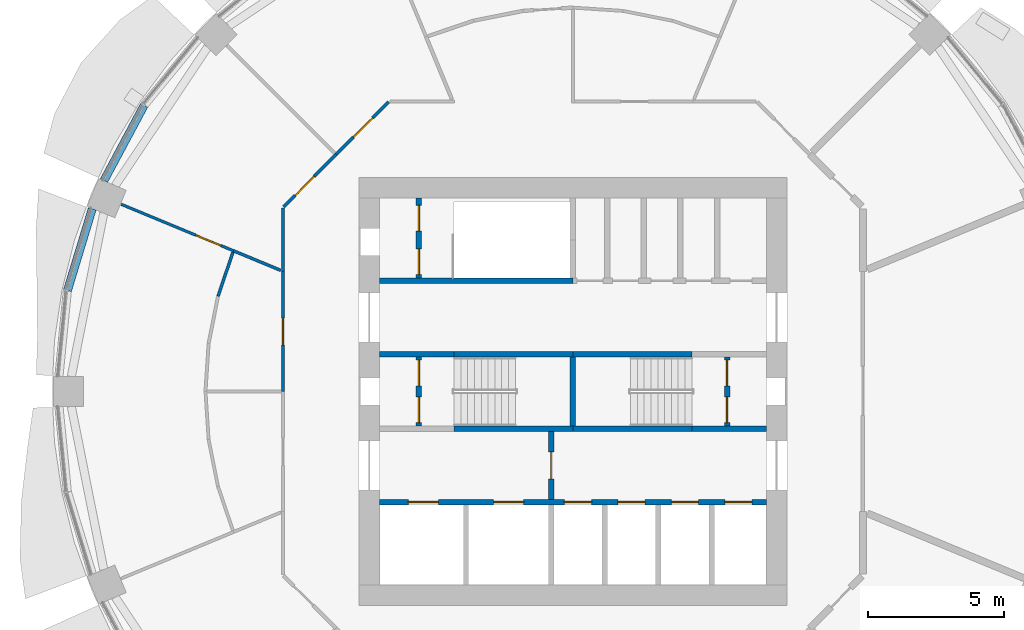
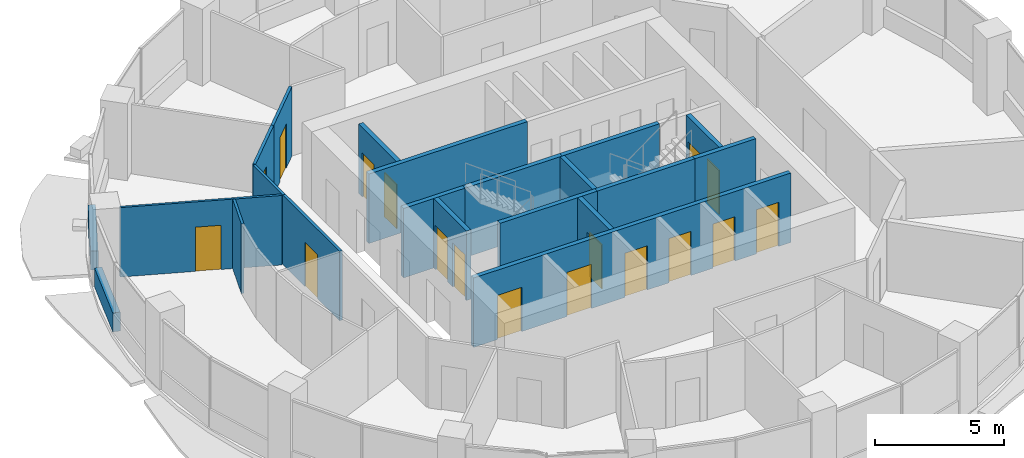
# One storey, part 8 of 14: 22 walls, 17 doors, 17 openings.
"""IFC4 building model written with IfcOpenShell, lengths in metres."""

from ifc_helpers import new_model, si_unit, direction, frame, frame_2d, origin, place, context, subcontext, project, spatial, rectangle, extrude, material, layer, layer_set, type_object, element, fill, save


model = new_model("IFC4")

# Units and contexts
model_context = context("Model", 3, precision=1e-05, world=origin(), true_north=direction((0.0, 1.0)))
body_context = subcontext(model_context, "Body", "Model", "MODEL_VIEW")
ifc_project = project(units=[si_unit("LENGTHUNIT", "METRE"), si_unit("AREAUNIT", "SQUARE_METRE"), si_unit("VOLUMEUNIT", "CUBIC_METRE"), si_unit("PLANEANGLEUNIT", "RADIAN"), si_unit("MASSUNIT", "GRAM", prefix="KILO")], contexts=[model_context])

# Site, building, storey
site_placement = place(None, origin())
site = spatial("IfcSite", under=ifc_project, at=site_placement, CompositionType="ELEMENT")
building_placement = place(site_placement, origin())
building = spatial("IfcBuilding", under=site, at=building_placement, Name="Polderwave Tower", CompositionType="ELEMENT")
storey_placement = place(building_placement, frame((0.0, 0.0, 112.89990234375)))
storey = spatial("IfcBuildingStorey", under=building, at=storey_placement, Name="L29", CompositionType="ELEMENT", Elevation=112.89990234375)

# Walls
ifc_material_1 = material(Name="Concrete C50/60 (board-marked)", Category="concrete")
ifc_layer_1 = layer(ifc_material_1, 0.300048828125)
ifc_layer_set_1 = layer_set([ifc_layer_1], Name="Concrete spandrel upstand C50/60")
wall_type_1 = type_object("IfcWallType", Name="Concrete spandrel upstand C50/60", PredefinedType="SOLIDWALL", material=ifc_layer_set_1)
wall_1_placement = place(storey_placement, frame((-15.7880859375, 10.53173828125, 0.0), z_axis=(0.0, 0.0, 1.0), x_axis=(-0.471375185282, -0.88193278355, 0.0)))
element("IfcWall", 1, at=wall_1_placement, inside=storey, type_object=wall_type_1, Name="Spandrel L29 7b", PredefinedType="SOLIDWALL", context=body_context, shape_type="SweptSolid", body=[
    extrude(rectangle(XDim=3.13916015625, YDim=0.300048828125, at=frame_2d((1.569580078125, 0.0))), origin(), (0.0, 0.0, 1.0), 0.900146484375),
])
wall_2_placement = place(storey_placement, frame((-17.699462890625, 6.7216796875, 0.0), z_axis=(0.0, 0.0, 1.0), x_axis=(-0.290214584271, -0.956961595403, 0.0)))
element("IfcWall", 2, at=wall_2_placement, inside=storey, type_object=wall_type_1, Name="Spandrel L29 8a", PredefinedType="SOLIDWALL", context=body_context, shape_type="SweptSolid", body=[
    extrude(rectangle(XDim=3.139404296875, YDim=0.300048828125, at=frame_2d((1.56982421875, 0.0))), origin(), (0.0, 0.0, 1.0), 0.900146484375),
])

# Wall, opening, door
ifc_material_2 = material(Name="Gypsum board partition")
ifc_layer_2 = layer(ifc_material_2, 0.199951171875)
ifc_layer_set_2 = layer_set([ifc_layer_2], Name="Core room partition 200")
wall_type_2 = type_object("IfcWallType", Name="Core room partition 200", PredefinedType="PARTITIONING", material=ifc_layer_set_2)
wall_3_placement = place(storey_placement, frame((-0.800048828125, -3.97412109375, 0.0), z_axis=(0.0, 0.0, 1.0), x_axis=(0.0, 1.0, 0.0)))
wall_3 = element("IfcWall", 3, at=wall_3_placement, inside=storey, type_object=wall_type_2, Name="L29 fire-fighting lobby wall", PredefinedType="PARTITIONING", context=body_context, shape_type="SweptSolid", body=[
    extrude(rectangle(XDim=2.4990234375, YDim=0.199951171875, at=frame_2d((1.24951171875, 0.0))), origin(), (0.0, 0.0, 1.0), 3.300048828125),
])
opening_1_placement = place(wall_3_placement, frame((0.74951171875, 0.0, 0.0)))
opening_1 = element("IfcOpeningElement", 4, at=opening_1_placement, cuts=wall_3, Name="Opening L29-D13", PredefinedType="OPENING", context=body_context, shape_type="SweptSolid", body=[
    extrude(rectangle(XDim=1.0, YDim=2.10009765625, at=frame_2d((0.5, 1.050048828125))), frame((0.0, 0.10986328125, 0.0), z_axis=(0.0, -1.0, 0.0), x_axis=(1.0, 0.0, 0.0)), (0.0, 0.0, 1.0), 0.219970703125),
])
ifc_material_3 = material(Name="Steel fire door", Category="steel")
door_type_1 = type_object("IfcDoorType", Name="Lobby fire door 1000", OperationType="NOTDEFINED", PredefinedType="DOOR", material=ifc_material_3)
door_1_placement = place(opening_1_placement, frame((1.0, 0.0, 0.0), z_axis=(0.0, 0.0, 1.0), x_axis=(-1.0, 0.0, 0.0)))
door_1 = element("IfcDoor", 5, at=door_1_placement, inside=storey, type_object=door_type_1, Name="Fire-fighting lobby door", OperationType="SINGLE_SWING_LEFT", OverallHeight=2.10009765625, OverallWidth=1.0, PredefinedType="DOOR", context=body_context, shape_type="SweptSolid", body=[
    extrude(rectangle(XDim=1.0, YDim=2.10009765625, at=frame_2d((0.5, 1.050048828125))), frame((0.0, 0.02490234375, 0.0), z_axis=(0.0, -1.0, 0.0), x_axis=(1.0, 0.0, 0.0)), (0.0, 0.0, 1.0), 0.050048828125),
])
fill(opening_1, door_1)

# Wall, openings, doors
wall_4_placement = place(storey_placement, frame((-5.674072265625, -1.27490234375, 0.0), z_axis=(0.0, 0.0, 1.0), x_axis=(0.0, 1.0, 0.0)))
wall_4 = element("IfcWall", 6, at=wall_4_placement, inside=storey, type_object=wall_type_2, Name="L29 smoke lobby wall A", PredefinedType="PARTITIONING", context=body_context, shape_type="SweptSolid", body=[
    extrude(rectangle(XDim=2.5498046875, YDim=0.199951171875, at=frame_2d((1.27490234375, 0.0))), origin(), (0.0, 0.0, 1.0), 3.300048828125),
])
opening_2_placement = place(wall_4_placement, frame((0.125, 0.0, 0.0)))
opening_2 = element("IfcOpeningElement", 7, at=opening_2_placement, cuts=wall_4, Name="Opening L29-D07", PredefinedType="OPENING", context=body_context, shape_type="SweptSolid", body=[
    extrude(rectangle(XDim=0.949951171875, YDim=2.10009765625, at=frame_2d((0.47509765625, 1.050048828125))), frame((0.0, 0.10986328125, 0.0), z_axis=(0.0, -1.0, 0.0), x_axis=(1.0, 0.0, 0.0)), (0.0, 0.0, 1.0), 0.219970703125),
])
opening_3_placement = place(wall_4_placement, frame((1.47509765625, 0.0, 0.0)))
opening_3 = element("IfcOpeningElement", 8, at=opening_3_placement, cuts=wall_4, Name="Opening L29-D08", PredefinedType="OPENING", context=body_context, shape_type="SweptSolid", body=[
    extrude(rectangle(XDim=0.949951171875, YDim=2.10009765625, at=frame_2d((0.47509765625, 1.050048828125))), frame((0.0, 0.10986328125, 0.0), z_axis=(0.0, -1.0, 0.0), x_axis=(1.0, 0.0, 0.0)), (0.0, 0.0, 1.0), 0.219970703125),
])
door_type_2 = type_object("IfcDoorType", Name="Smoke lobby door 950", OperationType="NOTDEFINED", PredefinedType="DOOR", material=ifc_material_3)
door_2_placement = place(opening_2_placement, origin())
door_2 = element("IfcDoor", 9, at=door_2_placement, inside=storey, type_object=door_type_2, Name="Stair A smoke lobby inner door", OperationType="SINGLE_SWING_LEFT", OverallHeight=2.10009765625, OverallWidth=0.949951171875, PredefinedType="DOOR", context=body_context, shape_type="SweptSolid", body=[
    extrude(rectangle(XDim=0.949951171875, YDim=2.10009765625, at=frame_2d((0.47509765625, 1.050048828125))), frame((0.0, 0.02490234375, 0.0), z_axis=(0.0, -1.0, 0.0), x_axis=(1.0, 0.0, 0.0)), (0.0, 0.0, 1.0), 0.050048828125),
])
fill(opening_2, door_2)
door_3_placement = place(opening_3_placement, origin())
door_3 = element("IfcDoor", 10, at=door_3_placement, inside=storey, type_object=door_type_2, Name="Stair A smoke lobby inner door", OperationType="SINGLE_SWING_RIGHT", OverallHeight=2.10009765625, OverallWidth=0.949951171875, PredefinedType="DOOR", context=body_context, shape_type="SweptSolid", body=[
    extrude(rectangle(XDim=0.949951171875, YDim=2.10009765625, at=frame_2d((0.47509765625, 1.050048828125))), frame((0.0, 0.02490234375, 0.0), z_axis=(0.0, -1.0, 0.0), x_axis=(1.0, 0.0, 0.0)), (0.0, 0.0, 1.0), 0.050048828125),
])
fill(opening_3, door_3)

wall_5_placement = place(storey_placement, frame((5.674072265625, -1.27490234375, 0.0), z_axis=(0.0, 0.0, 1.0), x_axis=(0.0, 1.0, 0.0)))
wall_5 = element("IfcWall", 11, at=wall_5_placement, inside=storey, type_object=wall_type_2, Name="L29 smoke lobby wall B", PredefinedType="PARTITIONING", context=body_context, shape_type="SweptSolid", body=[
    extrude(rectangle(XDim=2.5498046875, YDim=0.199951171875, at=frame_2d((1.27490234375, 0.0))), origin(), (0.0, 0.0, 1.0), 3.300048828125),
])
opening_4_placement = place(wall_5_placement, frame((0.125, 0.0, 0.0)))
opening_4 = element("IfcOpeningElement", 12, at=opening_4_placement, cuts=wall_5, Name="Opening L29-D09", PredefinedType="OPENING", context=body_context, shape_type="SweptSolid", body=[
    extrude(rectangle(XDim=0.949951171875, YDim=2.10009765625, at=frame_2d((0.47509765625, 1.050048828125))), frame((0.0, 0.10986328125, 0.0), z_axis=(0.0, -1.0, 0.0), x_axis=(1.0, 0.0, 0.0)), (0.0, 0.0, 1.0), 0.219970703125),
])
opening_5_placement = place(wall_5_placement, frame((1.47509765625, 0.0, 0.0)))
opening_5 = element("IfcOpeningElement", 13, at=opening_5_placement, cuts=wall_5, Name="Opening L29-D10", PredefinedType="OPENING", context=body_context, shape_type="SweptSolid", body=[
    extrude(rectangle(XDim=0.949951171875, YDim=2.10009765625, at=frame_2d((0.47509765625, 1.050048828125))), frame((0.0, 0.10986328125, 0.0), z_axis=(0.0, -1.0, 0.0), x_axis=(1.0, 0.0, 0.0)), (0.0, 0.0, 1.0), 0.219970703125),
])
door_4_placement = place(opening_4_placement, frame((0.949951171875, 0.0, 0.0), z_axis=(0.0, 0.0, 1.0), x_axis=(-1.0, 0.0, 0.0)))
door_4 = element("IfcDoor", 14, at=door_4_placement, inside=storey, type_object=door_type_2, Name="Stair B smoke lobby inner door", OperationType="SINGLE_SWING_RIGHT", OverallHeight=2.10009765625, OverallWidth=0.949951171875, PredefinedType="DOOR", context=body_context, shape_type="SweptSolid", body=[
    extrude(rectangle(XDim=0.949951171875, YDim=2.10009765625, at=frame_2d((0.47509765625, 1.050048828125))), frame((0.0, 0.02490234375, 0.0), z_axis=(0.0, -1.0, 0.0), x_axis=(1.0, 0.0, 0.0)), (0.0, 0.0, 1.0), 0.050048828125),
])
fill(opening_4, door_4)
door_5_placement = place(opening_5_placement, frame((0.949951171875, 0.0, 0.0), z_axis=(0.0, 0.0, 1.0), x_axis=(-1.0, 0.0, 0.0)))
door_5 = element("IfcDoor", 15, at=door_5_placement, inside=storey, type_object=door_type_2, Name="Stair B smoke lobby inner door", OperationType="SINGLE_SWING_LEFT", OverallHeight=2.10009765625, OverallWidth=0.949951171875, PredefinedType="DOOR", context=body_context, shape_type="SweptSolid", body=[
    extrude(rectangle(XDim=0.949951171875, YDim=2.10009765625, at=frame_2d((0.47509765625, 1.050048828125))), frame((0.0, 0.02490234375, 0.0), z_axis=(0.0, -1.0, 0.0), x_axis=(1.0, 0.0, 0.0)), (0.0, 0.0, 1.0), 0.050048828125),
])
fill(opening_5, door_5)

wall_6_placement = place(storey_placement, frame((-5.674072265625, 4.174072265625, 0.0), z_axis=(0.0, 0.0, 1.0), x_axis=(0.0, 1.0, 0.0)))
wall_6 = element("IfcWall", 16, at=wall_6_placement, inside=storey, type_object=wall_type_2, Name="L29 smoke lobby wall C", PredefinedType="PARTITIONING", context=body_context, shape_type="SweptSolid", body=[
    extrude(rectangle(XDim=2.949951171875, YDim=0.199951171875, at=frame_2d((1.47509765625, 0.0))), origin(), (0.0, 0.0, 1.0), 3.300048828125),
])
opening_6_placement = place(wall_6_placement, frame((0.125, 0.0, 0.0)))
opening_6 = element("IfcOpeningElement", 17, at=opening_6_placement, cuts=wall_6, Name="Opening L29-D11", PredefinedType="OPENING", context=body_context, shape_type="SweptSolid", body=[
    extrude(rectangle(XDim=0.949951171875, YDim=2.10009765625, at=frame_2d((0.47509765625, 1.050048828125))), frame((0.0, 0.10986328125, 0.0), z_axis=(0.0, -1.0, 0.0), x_axis=(1.0, 0.0, 0.0)), (0.0, 0.0, 1.0), 0.219970703125),
])
opening_7_placement = place(wall_6_placement, frame((1.72509765625, 0.0, 0.0)))
opening_7 = element("IfcOpeningElement", 18, at=opening_7_placement, cuts=wall_6, Name="Opening L29-D12", PredefinedType="OPENING", context=body_context, shape_type="SweptSolid", body=[
    extrude(rectangle(XDim=0.949951171875, YDim=2.10009765625, at=frame_2d((0.47509765625, 1.050048828125))), frame((0.0, 0.10986328125, 0.0), z_axis=(0.0, -1.0, 0.0), x_axis=(1.0, 0.0, 0.0)), (0.0, 0.0, 1.0), 0.219970703125),
])
door_6_placement = place(opening_6_placement, origin())
door_6 = element("IfcDoor", 19, at=door_6_placement, inside=storey, type_object=door_type_2, Name="Stair C smoke lobby inner door", OperationType="SINGLE_SWING_LEFT", OverallHeight=2.10009765625, OverallWidth=0.949951171875, PredefinedType="DOOR", context=body_context, shape_type="SweptSolid", body=[
    extrude(rectangle(XDim=0.949951171875, YDim=2.10009765625, at=frame_2d((0.47509765625, 1.050048828125))), frame((0.0, 0.02490234375, 0.0), z_axis=(0.0, -1.0, 0.0), x_axis=(1.0, 0.0, 0.0)), (0.0, 0.0, 1.0), 0.050048828125),
])
fill(opening_6, door_6)
door_7_placement = place(opening_7_placement, origin())
door_7 = element("IfcDoor", 20, at=door_7_placement, inside=storey, type_object=door_type_2, Name="Stair C smoke lobby inner door", OperationType="SINGLE_SWING_RIGHT", OverallHeight=2.10009765625, OverallWidth=0.949951171875, PredefinedType="DOOR", context=body_context, shape_type="SweptSolid", body=[
    extrude(rectangle(XDim=0.949951171875, YDim=2.10009765625, at=frame_2d((0.47509765625, 1.050048828125))), frame((0.0, 0.02490234375, 0.0), z_axis=(0.0, -1.0, 0.0), x_axis=(1.0, 0.0, 0.0)), (0.0, 0.0, 1.0), 0.050048828125),
])
fill(opening_7, door_7)

ifc_material_4 = material(Name="Concrete C50/60", Category="concrete")
ifc_layer_3 = layer(ifc_material_4, 0.199951171875)
ifc_layer_set_3 = layer_set([ifc_layer_3], Name="Core web wall 200")
wall_type_3 = type_object("IfcWallType", Name="Core web wall 200", PredefinedType="SHEAR", material=ifc_layer_set_3)
wall_7_placement = place(storey_placement, frame((-7.1240234375, -4.073974609375, 0.0), z_axis=(0.0, 0.0, 1.0), x_axis=(1.0, 0.0, 0.0)))
wall_7 = element("IfcWall", 21, at=wall_7_placement, inside=storey, type_object=wall_type_3, Name="L29 south front wall", PredefinedType="SHEAR", context=body_context, shape_type="SweptSolid", body=[
    extrude(rectangle(XDim=14.248046875, YDim=0.199951171875, at=frame_2d((7.1240234375, 0.0))), origin(), (0.0, 0.0, 1.0), 3.300048828125),
])
opening_8_placement = place(wall_7_placement, frame((1.068603515625, 0.0, 0.0)))
opening_8 = element("IfcOpeningElement", 22, at=opening_8_placement, cuts=wall_7, Name="Opening L29-D01", PredefinedType="OPENING", context=body_context, shape_type="SweptSolid", body=[
    extrude(rectangle(XDim=1.10009765625, YDim=2.10009765625, at=frame_2d((0.550048828125, 1.050048828125))), frame((0.0, 0.10986328125, 0.0), z_axis=(0.0, -1.0, 0.0), x_axis=(1.0, 0.0, 0.0)), (0.0, 0.0, 1.0), 0.219970703125),
])
opening_9_placement = place(wall_7_placement, frame((4.20556640625, 0.0, 0.0)))
opening_9 = element("IfcOpeningElement", 23, at=opening_9_placement, cuts=wall_7, Name="Opening L29-D02", PredefinedType="OPENING", context=body_context, shape_type="SweptSolid", body=[
    extrude(rectangle(XDim=1.10009765625, YDim=2.10009765625, at=frame_2d((0.550048828125, 1.050048828125))), frame((0.0, 0.10986328125, 0.0), z_axis=(0.0, -1.0, 0.0), x_axis=(1.0, 0.0, 0.0)), (0.0, 0.0, 1.0), 0.219970703125),
])
opening_10_placement = place(wall_7_placement, frame((6.80810546875, 0.0, 0.0)))
opening_10 = element("IfcOpeningElement", 24, at=opening_10_placement, cuts=wall_7, Name="Opening L29-D03", PredefinedType="OPENING", context=body_context, shape_type="SweptSolid", body=[
    extrude(rectangle(XDim=1.0, YDim=2.10009765625, at=frame_2d((0.5, 1.050048828125))), frame((0.0, 0.10986328125, 0.0), z_axis=(0.0, -1.0, 0.0), x_axis=(1.0, 0.0, 0.0)), (0.0, 0.0, 1.0), 0.219970703125),
])
opening_11_placement = place(wall_7_placement, frame((8.776611328125, 0.0, 0.0)))
opening_11 = element("IfcOpeningElement", 25, at=opening_11_placement, cuts=wall_7, Name="Opening L29-D04", PredefinedType="OPENING", context=body_context, shape_type="SweptSolid", body=[
    extrude(rectangle(XDim=1.0, YDim=2.10009765625, at=frame_2d((0.5, 1.050048828125))), frame((0.0, 0.10986328125, 0.0), z_axis=(0.0, -1.0, 0.0), x_axis=(1.0, 0.0, 0.0)), (0.0, 0.0, 1.0), 0.219970703125),
])
opening_12_placement = place(wall_7_placement, frame((10.7451171875, 0.0, 0.0)))
opening_12 = element("IfcOpeningElement", 26, at=opening_12_placement, cuts=wall_7, Name="Opening L29-D05", PredefinedType="OPENING", context=body_context, shape_type="SweptSolid", body=[
    extrude(rectangle(XDim=1.0, YDim=2.10009765625, at=frame_2d((0.5, 1.050048828125))), frame((0.0, 0.10986328125, 0.0), z_axis=(0.0, -1.0, 0.0), x_axis=(1.0, 0.0, 0.0)), (0.0, 0.0, 1.0), 0.219970703125),
])
opening_13_placement = place(wall_7_placement, frame((12.7138671875, 0.0, 0.0)))
opening_13 = element("IfcOpeningElement", 27, at=opening_13_placement, cuts=wall_7, Name="Opening L29-D06", PredefinedType="OPENING", context=body_context, shape_type="SweptSolid", body=[
    extrude(rectangle(XDim=1.0, YDim=2.10009765625, at=frame_2d((0.5, 1.050048828125))), frame((0.0, 0.10986328125, 0.0), z_axis=(0.0, -1.0, 0.0), x_axis=(1.0, 0.0, 0.0)), (0.0, 0.0, 1.0), 0.219970703125),
])
ifc_material_5 = material(Name="Stainless steel", Category="steel")
door_type_3 = type_object("IfcDoorType", Name="Fire-fighting lift landing door 1100", OperationType="DOUBLE_DOOR_SLIDING", PredefinedType="DOOR", material=ifc_material_5)
door_8_placement = place(opening_8_placement, origin())
door_8 = element("IfcDoor", 28, at=door_8_placement, inside=storey, type_object=door_type_3, Name="Fire-fighting lift FF1 landing door", OperationType="DOUBLE_DOOR_SLIDING", OverallHeight=2.10009765625, OverallWidth=1.10009765625, PredefinedType="DOOR", context=body_context, shape_type="SweptSolid", body=[
    extrude(rectangle(XDim=1.10009765625, YDim=2.10009765625, at=frame_2d((0.550048828125, 1.050048828125))), frame((0.0, 0.02490234375, 0.0), z_axis=(0.0, -1.0, 0.0), x_axis=(1.0, 0.0, 0.0)), (0.0, 0.0, 1.0), 0.050048828125),
])
fill(opening_8, door_8)
door_9_placement = place(opening_9_placement, origin())
door_9 = element("IfcDoor", 29, at=door_9_placement, inside=storey, type_object=door_type_3, Name="Fire-fighting lift FF2 landing door", OperationType="DOUBLE_DOOR_SLIDING", OverallHeight=2.10009765625, OverallWidth=1.10009765625, PredefinedType="DOOR", context=body_context, shape_type="SweptSolid", body=[
    extrude(rectangle(XDim=1.10009765625, YDim=2.10009765625, at=frame_2d((0.550048828125, 1.050048828125))), frame((0.0, 0.02490234375, 0.0), z_axis=(0.0, -1.0, 0.0), x_axis=(1.0, 0.0, 0.0)), (0.0, 0.0, 1.0), 0.050048828125),
])
fill(opening_9, door_9)
door_type_4 = type_object("IfcDoorType", Name="Lift landing door 1000", OperationType="DOUBLE_DOOR_SLIDING", PredefinedType="DOOR", material=ifc_material_5)
door_10_placement = place(opening_10_placement, origin())
door_10 = element("IfcDoor", 30, at=door_10_placement, inside=storey, type_object=door_type_4, Name="Lift LL1 landing door", OperationType="DOUBLE_DOOR_SLIDING", OverallHeight=2.10009765625, OverallWidth=1.0, PredefinedType="DOOR", context=body_context, shape_type="SweptSolid", body=[
    extrude(rectangle(XDim=1.0, YDim=2.10009765625, at=frame_2d((0.5, 1.050048828125))), frame((0.0, 0.02490234375, 0.0), z_axis=(0.0, -1.0, 0.0), x_axis=(1.0, 0.0, 0.0)), (0.0, 0.0, 1.0), 0.050048828125),
])
fill(opening_10, door_10)
door_11_placement = place(opening_11_placement, origin())
door_11 = element("IfcDoor", 31, at=door_11_placement, inside=storey, type_object=door_type_4, Name="Lift LL2 landing door", OperationType="DOUBLE_DOOR_SLIDING", OverallHeight=2.10009765625, OverallWidth=1.0, PredefinedType="DOOR", context=body_context, shape_type="SweptSolid", body=[
    extrude(rectangle(XDim=1.0, YDim=2.10009765625, at=frame_2d((0.5, 1.050048828125))), frame((0.0, 0.02490234375, 0.0), z_axis=(0.0, -1.0, 0.0), x_axis=(1.0, 0.0, 0.0)), (0.0, 0.0, 1.0), 0.050048828125),
])
fill(opening_11, door_11)
door_12_placement = place(opening_12_placement, origin())
door_12 = element("IfcDoor", 32, at=door_12_placement, inside=storey, type_object=door_type_4, Name="Lift LL3 landing door", OperationType="DOUBLE_DOOR_SLIDING", OverallHeight=2.10009765625, OverallWidth=1.0, PredefinedType="DOOR", context=body_context, shape_type="SweptSolid", body=[
    extrude(rectangle(XDim=1.0, YDim=2.10009765625, at=frame_2d((0.5, 1.050048828125))), frame((0.0, 0.02490234375, 0.0), z_axis=(0.0, -1.0, 0.0), x_axis=(1.0, 0.0, 0.0)), (0.0, 0.0, 1.0), 0.050048828125),
])
fill(opening_12, door_12)
door_13_placement = place(opening_13_placement, origin())
door_13 = element("IfcDoor", 33, at=door_13_placement, inside=storey, type_object=door_type_4, Name="Lift LL4 landing door", OperationType="DOUBLE_DOOR_SLIDING", OverallHeight=2.10009765625, OverallWidth=1.0, PredefinedType="DOOR", context=body_context, shape_type="SweptSolid", body=[
    extrude(rectangle(XDim=1.0, YDim=2.10009765625, at=frame_2d((0.5, 1.050048828125))), frame((0.0, 0.02490234375, 0.0), z_axis=(0.0, -1.0, 0.0), x_axis=(1.0, 0.0, 0.0)), (0.0, 0.0, 1.0), 0.050048828125),
])
fill(opening_13, door_13)

# Walls
wall_8_placement = place(storey_placement, frame((-7.1240234375, 4.073974609375, 0.0), z_axis=(0.0, 0.0, 1.0), x_axis=(1.0, 0.0, 0.0)))
element("IfcWall", 34, at=wall_8_placement, inside=storey, type_object=wall_type_3, Name="L29 north front wall 1", PredefinedType="SHEAR", context=body_context, shape_type="SweptSolid", body=[
    extrude(rectangle(XDim=7.1240234375, YDim=0.199951171875, at=frame_2d((3.56201171875, 0.0))), origin(), (0.0, 0.0, 1.0), 3.300048828125),
])
for number, where, z_axis, x_axis, name in (
    (35, (-4.3740234375, -1.375, 0.0), (0.0, 0.0, 1.0), (1.0, 0.0, 0.0), "L29 south stair wall 2"),
    (36, (0.0, -1.375, 0.0), (0.0, 0.0, 1.0), (1.0, 0.0, 0.0), "L29 south stair wall 3"),
):
    element("IfcWall", number, at=place(storey_placement, frame(where, z_axis=z_axis, x_axis=x_axis)), inside=storey, type_object=wall_type_3, Name=name, PredefinedType="SHEAR", context=body_context, shape_type="SweptSolid", body=[
        extrude(rectangle(XDim=4.3740234375, YDim=0.199951171875, at=frame_2d((2.18701171875, 0.0))), origin(), (0.0, 0.0, 1.0), 3.300048828125),
    ])
for number, where, z_axis, x_axis, name in (
    (37, (4.3740234375, -1.375, 0.0), (0.0, 0.0, 1.0), (1.0, 0.0, 0.0), "L29 south stair wall 4"),
    (38, (-7.1240234375, 1.375, 0.0), (0.0, 0.0, 1.0), (1.0, 0.0, 0.0), "L29 north stair wall 1"),
):
    element("IfcWall", number, at=place(storey_placement, frame(where, z_axis=z_axis, x_axis=x_axis)), inside=storey, type_object=wall_type_3, Name=name, PredefinedType="SHEAR", context=body_context, shape_type="SweptSolid", body=[
        extrude(rectangle(XDim=2.75, YDim=0.199951171875, at=frame_2d((1.375, 0.0))), origin(), (0.0, 0.0, 1.0), 3.300048828125),
    ])
for number, where, z_axis, x_axis, name in (
    (39, (-4.3740234375, 1.375, 0.0), (0.0, 0.0, 1.0), (1.0, 0.0, 0.0), "L29 north stair wall 2"),
    (40, (0.0, 1.375, 0.0), (0.0, 0.0, 1.0), (1.0, 0.0, 0.0), "L29 north stair wall 3"),
):
    element("IfcWall", number, at=place(storey_placement, frame(where, z_axis=z_axis, x_axis=x_axis)), inside=storey, type_object=wall_type_3, Name=name, PredefinedType="SHEAR", context=body_context, shape_type="SweptSolid", body=[
        extrude(rectangle(XDim=4.3740234375, YDim=0.199951171875, at=frame_2d((2.18701171875, 0.0))), origin(), (0.0, 0.0, 1.0), 3.300048828125),
    ])
wall_9_placement = place(storey_placement, frame((0.0, -1.27490234375, 0.0), z_axis=(0.0, 0.0, 1.0), x_axis=(0.0, 1.0, 0.0)))
element("IfcWall", 41, at=wall_9_placement, inside=storey, type_object=wall_type_3, Name="L29 wall between the stairs", PredefinedType="SHEAR", context=body_context, shape_type="SweptSolid", body=[
    extrude(rectangle(XDim=2.5498046875, YDim=0.199951171875, at=frame_2d((1.27490234375, 0.0))), origin(), (0.0, 0.0, 1.0), 3.300048828125),
])

# Wall, opening, door
ifc_material_6 = material(Name="Fire-resisting board on steel studs", Category="steel")
ifc_layer_4 = layer(ifc_material_6, 0.125)
ifc_layer_set_4 = layer_set([ifc_layer_4], Name="Corridor wall 125 mm EI 60")
wall_type_4 = type_object("IfcWallType", Name="Corridor wall 125 mm EI 60", PredefinedType="PARTITIONING", material=ifc_layer_set_4)
wall_10_placement = place(storey_placement, frame((-8.722412109375, 8.722412109375, 0.0), z_axis=(0.0, 0.0, 1.0), x_axis=(0.707062130741, 0.707151428813, 0.0)))
wall_10 = element("IfcWall", 42, at=wall_10_placement, inside=storey, type_object=wall_type_4, Name="IN-L29-W009", PredefinedType="PARTITIONING", context=body_context, shape_type="SweptSolid", body=[
    extrude(rectangle(XDim=2.73388671875, YDim=0.125, at=frame_2d((1.366943359375, 0.0))), origin(), (0.0, 0.0, 1.0), 3.300048828125),
])
opening_14_placement = place(wall_10_placement, frame((0.89990234375, 0.0, 0.0)))
opening_14 = element("IfcOpeningElement", 43, at=opening_14_placement, cuts=wall_10, Name="Opening L29-D55", PredefinedType="OPENING", context=body_context, shape_type="SweptSolid", body=[
    extrude(rectangle(XDim=1.0, YDim=2.10009765625, at=frame_2d((0.5, 1.050048828125))), frame((0.0, 0.072509765625, 0.0), z_axis=(0.0, -1.0, 0.0), x_axis=(1.0, 0.0, 0.0)), (0.0, 0.0, 1.0), 0.14501953125),
])
ifc_material_7 = material(Name="Timber fire door leaf", Category="wood")
door_type_5 = type_object("IfcDoorType", Name="Fire door FD30S 1000 x 2100", OperationType="NOTDEFINED", PredefinedType="DOOR", material=ifc_material_7)
door_14_placement = place(opening_14_placement, origin())
door_14 = element("IfcDoor", 44, at=door_14_placement, inside=storey, type_object=door_type_5, Name="Door L29-D55", OperationType="SINGLE_SWING_RIGHT", OverallHeight=2.10009765625, OverallWidth=1.0, PredefinedType="DOOR", context=body_context, shape_type="SweptSolid", body=[
    extrude(rectangle(XDim=1.0, YDim=2.10009765625, at=frame_2d((0.5, 1.050048828125))), frame((0.0, 0.02490234375, 0.0), z_axis=(0.0, -1.0, 0.0), x_axis=(1.0, 0.0, 0.0)), (0.0, 0.0, 1.0), 0.050048828125),
])
fill(opening_14, door_14)

# Wall
wall_11_placement = place(storey_placement, frame((-10.674072265625, 4.42138671875, 0.0), z_axis=(0.0, 0.0, 1.0), x_axis=(0.0, 1.0, 0.0)))
element("IfcWall", 45, at=wall_11_placement, inside=storey, type_object=wall_type_4, Name="IN-L29-W011", PredefinedType="PARTITIONING", context=body_context, shape_type="SweptSolid", body=[
    extrude(rectangle(XDim=2.32373046875, YDim=0.125, at=frame_2d((1.161865234375, 0.0))), origin(), (0.0, 0.0, 1.0), 3.300048828125),
])

# Wall, opening, door
wall_12_placement = place(storey_placement, frame((-10.65576171875, 6.789306640625, 0.0), z_axis=(0.0, 0.0, 1.0), x_axis=(0.707151428813, 0.707062130741, 0.0)))
wall_12 = element("IfcWall", 46, at=wall_12_placement, inside=storey, type_object=wall_type_4, Name="IN-L29-W012", PredefinedType="PARTITIONING", context=body_context, shape_type="SweptSolid", body=[
    extrude(rectangle(XDim=2.73388671875, YDim=0.125, at=frame_2d((1.366943359375, 0.0))), origin(), (0.0, 0.0, 1.0), 3.300048828125),
])
opening_15_placement = place(wall_12_placement, frame((0.60009765625, 0.0, 0.0)))
opening_15 = element("IfcOpeningElement", 47, at=opening_15_placement, cuts=wall_12, Name="Opening L29-D56", PredefinedType="OPENING", context=body_context, shape_type="SweptSolid", body=[
    extrude(rectangle(XDim=1.0, YDim=2.10009765625, at=frame_2d((0.5, 1.050048828125))), frame((0.0, 0.072509765625, 0.0), z_axis=(0.0, -1.0, 0.0), x_axis=(1.0, 0.0, 0.0)), (0.0, 0.0, 1.0), 0.14501953125),
])
door_15_placement = place(opening_15_placement, origin())
door_15 = element("IfcDoor", 48, at=door_15_placement, inside=storey, type_object=door_type_5, Name="Door L29-D56", OperationType="SINGLE_SWING_LEFT", OverallHeight=2.10009765625, OverallWidth=1.0, PredefinedType="DOOR", context=body_context, shape_type="SweptSolid", body=[
    extrude(rectangle(XDim=1.0, YDim=2.10009765625, at=frame_2d((0.5, 1.050048828125))), frame((0.0, 0.02490234375, 0.0), z_axis=(0.0, -1.0, 0.0), x_axis=(1.0, 0.0, 0.0)), (0.0, 0.0, 1.0), 0.050048828125),
])
fill(opening_15, door_15)

wall_13_placement = place(storey_placement, frame((-10.674072265625, 0.0, 0.0), z_axis=(0.0, 0.0, 1.0), x_axis=(0.0, 1.0, 0.0)))
wall_13 = element("IfcWall", 49, at=wall_13_placement, inside=storey, type_object=wall_type_4, Name="IN-L29-W013", PredefinedType="PARTITIONING", context=body_context, shape_type="SweptSolid", body=[
    extrude(rectangle(XDim=4.42138671875, YDim=0.125, at=frame_2d((2.210693359375, 0.0))), origin(), (0.0, 0.0, 1.0), 3.300048828125),
])
opening_16_placement = place(wall_13_placement, frame((1.699951171875, 0.0, 0.0)))
opening_16 = element("IfcOpeningElement", 50, at=opening_16_placement, cuts=wall_13, Name="Opening L29-D57", PredefinedType="OPENING", context=body_context, shape_type="SweptSolid", body=[
    extrude(rectangle(XDim=1.0, YDim=2.10009765625, at=frame_2d((0.5, 1.050048828125))), frame((0.0, 0.072509765625, 0.0), z_axis=(0.0, -1.0, 0.0), x_axis=(1.0, 0.0, 0.0)), (0.0, 0.0, 1.0), 0.14501953125),
])
door_16_placement = place(opening_16_placement, origin())
door_16 = element("IfcDoor", 51, at=door_16_placement, inside=storey, type_object=door_type_5, Name="Door L29-D57", OperationType="SINGLE_SWING_LEFT", OverallHeight=2.10009765625, OverallWidth=1.0, PredefinedType="DOOR", context=body_context, shape_type="SweptSolid", body=[
    extrude(rectangle(XDim=1.0, YDim=2.10009765625, at=frame_2d((0.5, 1.050048828125))), frame((0.0, 0.02490234375, 0.0), z_axis=(0.0, -1.0, 0.0), x_axis=(1.0, 0.0, 0.0)), (0.0, 0.0, 1.0), 0.050048828125),
])
fill(opening_16, door_16)

ifc_material_8 = material(Name="Plasterboard on steel studs", Category="steel")
ifc_layer_5 = layer(ifc_material_8, 0.10009765625)
ifc_layer_set_5 = layer_set([ifc_layer_5], Name="Partition 100 mm plasterboard on steel studs")
wall_type_5 = type_object("IfcWallType", Name="Partition 100 mm plasterboard on steel studs", PredefinedType="PARTITIONING", material=ifc_layer_set_5)
wall_14_placement = place(storey_placement, frame((-12.5, 5.177734375, 0.0), z_axis=(0.0, 0.0, 1.0), x_axis=(-0.923895686767, 0.382644430213, 0.0)))
wall_14 = element("IfcWall", 52, at=wall_14_placement, inside=storey, type_object=wall_type_5, Name="IN-L29-W038", PredefinedType="PARTITIONING", context=body_context, shape_type="SweptSolid", body=[
    extrude(rectangle(XDim=4.469970703125, YDim=0.10009765625, at=frame_2d((2.23486328125, 0.0))), origin(), (0.0, 0.0, 1.0), 3.300048828125),
])
opening_17_placement = place(wall_14_placement, frame((0.5, 0.0, 0.0)))
opening_17 = element("IfcOpeningElement", 53, at=opening_17_placement, cuts=wall_14, Name="Opening L29-D64", PredefinedType="OPENING", context=body_context, shape_type="SweptSolid", body=[
    extrude(rectangle(XDim=1.0, YDim=2.10009765625, at=frame_2d((0.5, 1.050048828125))), frame((0.0, 0.06005859375, 0.0), z_axis=(0.0, -1.0, 0.0), x_axis=(1.0, 0.0, 0.0)), (0.0, 0.0, 1.0), 0.1201171875),
])
ifc_material_9 = material(Name="Timber veneer door leaf", Category="wood")
door_type_6 = type_object("IfcDoorType", Name="Single door 1000 x 2100", OperationType="NOTDEFINED", PredefinedType="DOOR", material=ifc_material_9)
door_17_placement = place(opening_17_placement, origin())
door_17 = element("IfcDoor", 54, at=door_17_placement, inside=storey, type_object=door_type_6, Name="Door L29-D64", OperationType="SINGLE_SWING_LEFT", OverallHeight=2.10009765625, OverallWidth=1.0, PredefinedType="DOOR", context=body_context, shape_type="SweptSolid", body=[
    extrude(rectangle(XDim=1.0, YDim=2.10009765625, at=frame_2d((0.5, 1.050048828125))), frame((0.0, 0.02490234375, 0.0), z_axis=(0.0, -1.0, 0.0), x_axis=(1.0, 0.0, 0.0)), (0.0, 0.0, 1.0), 0.050048828125),
])
fill(opening_17, door_17)

# Walls
ifc_material_10 = material(Name="Acoustic double plasterboard on steel studs", Category="steel")
ifc_layer_6 = layer(ifc_material_10, 0.110107421875)
ifc_layer_set_6 = layer_set([ifc_layer_6], Name="Partition 110 mm acoustic double board")
wall_type_6 = type_object("IfcWallType", Name="Partition 110 mm acoustic double board", PredefinedType="PARTITIONING", material=ifc_layer_set_6)
wall_15_placement = place(storey_placement, frame((-10.757568359375, 4.455810546875, 0.0), z_axis=(0.0, 0.0, 1.0), x_axis=(-0.923844847366, 0.382767158983, 0.0)))
element("IfcWall", 55, at=wall_15_placement, inside=storey, type_object=wall_type_6, Name="IN-L29-W037", PredefinedType="PARTITIONING", context=body_context, shape_type="SweptSolid", body=[
    extrude(rectangle(XDim=1.885986328125, YDim=0.110107421875, at=frame_2d((0.94287109375, 0.0))), origin(), (0.0, 0.0, 1.0), 3.300048828125),
])
wall_16_placement = place(storey_placement, frame((-13.06787109375, 3.505126953125, 0.0), z_axis=(0.0, 0.0, 1.0), x_axis=(0.321413111924, 0.946939074853, 0.0)))
element("IfcWall", 56, at=wall_16_placement, inside=storey, type_object=wall_type_6, Name="IN-L29-W041", PredefinedType="PARTITIONING", context=body_context, shape_type="SweptSolid", body=[
    extrude(rectangle(XDim=1.70751953125, YDim=0.110107421875, at=frame_2d((0.853759765625, 0.0))), origin(), (0.0, 0.0, 1.0), 3.300048828125),
])

save(model, "model.ifc")
